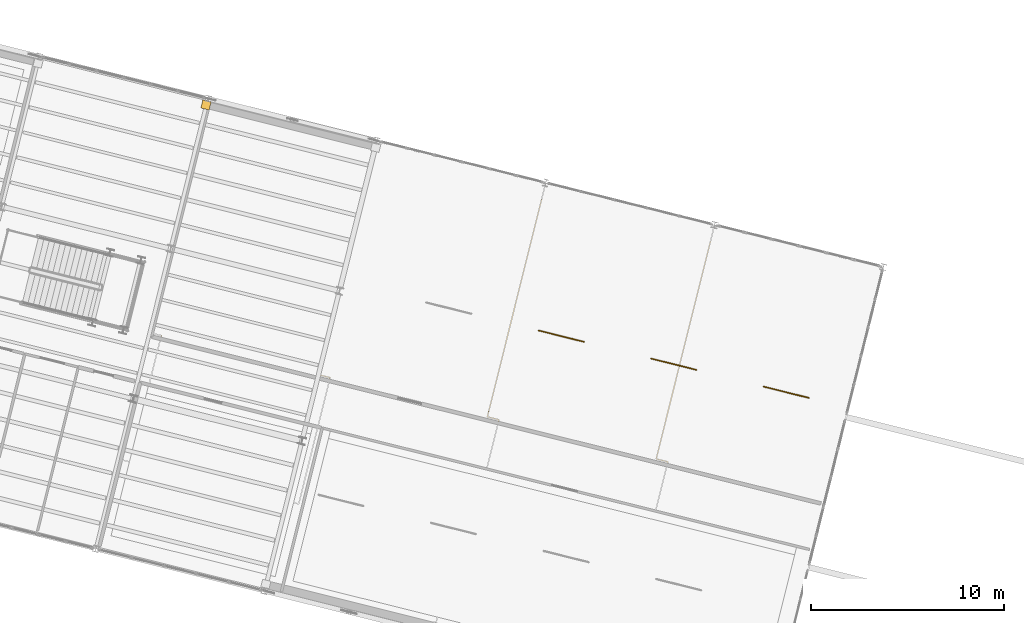
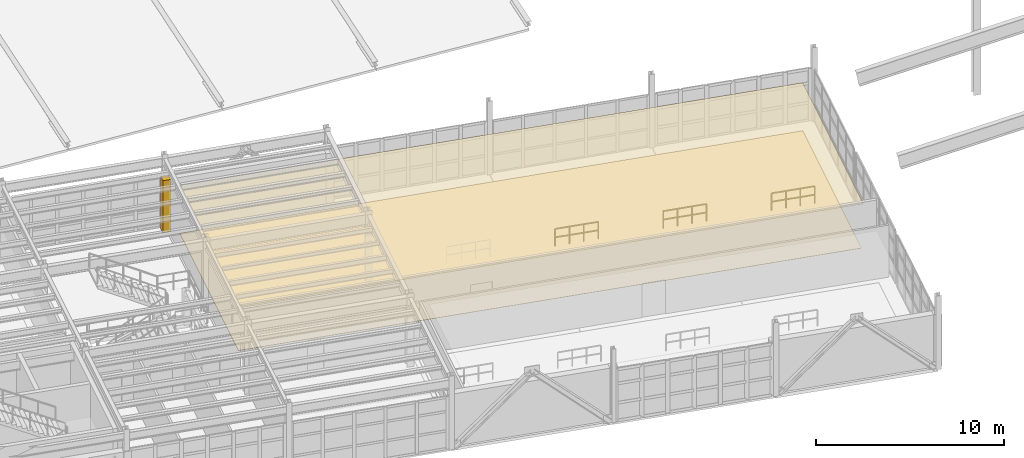
# One storey, part 57 of 59: 3 coverings, 3 railings.
"""IFC4 building model written with IfcOpenShell, lengths in metres."""

from ifc_helpers import new_model, si_unit, direction, frame, origin, origin_2d, place, context, subcontext, project, spatial, polyline, rectangle, circle, outline, extrude, material, layer, layer_set, type_object, element, save


model = new_model("IFC4")

# Units and contexts
model_context = context("Model", 3, precision=1e-05, world=origin(), true_north=direction((0.0, 1.0)))
body_context = subcontext(model_context, "Body", "Model", "MODEL_VIEW")
ifc_project = project(units=[si_unit("LENGTHUNIT", "METRE"), si_unit("AREAUNIT", "SQUARE_METRE"), si_unit("VOLUMEUNIT", "CUBIC_METRE"), si_unit("PLANEANGLEUNIT", "RADIAN"), si_unit("MASSUNIT", "GRAM", prefix="KILO")], contexts=[model_context])

# Site, building, storey
site_placement = place(None, origin())
site = spatial("IfcSite", under=ifc_project, at=site_placement, CompositionType="ELEMENT")
building_placement = place(site_placement, origin())
building = spatial("IfcBuilding", under=site, at=building_placement, Name="Vireo Bluff Cable Station", CompositionType="ELEMENT")
storey_placement = place(building_placement, frame((0.0, 0.0, 14.39990234375)))
storey = spatial("IfcBuildingStorey", under=building, at=storey_placement, Name="L03", CompositionType="ELEMENT", Elevation=14.39990234375)

# Railings
ifc_material_1 = material(Name="Laminated Low-E Insulated Glass", Category="glass")
railing_type = type_object("IfcRailingType", Name="BALUSTRADE-1150", PredefinedType="BALUSTRADE", material=ifc_material_1)
for number, where, name in (
    (1, (94.377685546875, 44.937744140625, 0.0), "Boarding Hall platform queuing balustrade 4"),
    (2, (100.199462890625, 43.486328125, 0.0), "Boarding Hall platform queuing balustrade 6"),
    (3, (106.021240234375, 42.03466796875, 0.0), "Boarding Hall platform queuing balustrade 8"),
):
    element("IfcRailing", number, at=place(storey_placement, frame(where)), inside=storey, type_object=railing_type, Name=name, PredefinedType="BALUSTRADE", context=body_context, shape_type="SweptSolid", body=[
        extrude(circle(Radius=0.02392578125, at=origin_2d()), frame((0.0, 0.0, 1.1259765625), z_axis=(0.970303839674, -0.241889352212, 0.0), x_axis=(0.241889352212, 0.970303839674, 0.0)), (0.0, 0.0, 1.0), 2.400146484375),
        extrude(circle(Radius=0.02392578125, at=origin_2d()), frame((0.0, 0.0, 0.574951171875), z_axis=(0.970303839674, -0.241889352212, 0.0), x_axis=(0.241889352212, 0.970303839674, 0.0)), (0.0, 0.0, 1.0), 2.400146484375),
        extrude(circle(Radius=0.02099609375, at=origin_2d()), origin(), (0.0, 0.0, 1.0), 1.101806640625),
        extrude(circle(Radius=0.02099609375, at=origin_2d()), frame((0.7763671875, -0.193603515625, 0.0)), (0.0, 0.0, 1.0), 1.101806640625),
        extrude(circle(Radius=0.02099609375, at=origin_2d()), frame((1.552490234375, -0.386962890625, 0.0)), (0.0, 0.0, 1.0), 1.101806640625),
        extrude(circle(Radius=0.02099609375, at=origin_2d()), frame((2.328857421875, -0.58056640625, 0.0)), (0.0, 0.0, 1.0), 1.101806640625),
    ])

# Coverings
ifc_material_2 = material(Name="Perforated Acoustic Metal Ceiling")
ifc_layer_1 = layer(ifc_material_2, 0.02490234375, Name="Perforated Acoustic Metal Ceiling")
ifc_layer_set_1 = layer_set([ifc_layer_1], Name="Perforated Acoustic Metal Ceiling")
covering_type_1 = type_object("IfcCoveringType", Name="CEILING-ACOUSTIC-25", PredefinedType="CEILING", material=ifc_layer_set_1)
covering_1_placement = place(storey_placement, frame((0.0, 0.0, 3.1201171875)))
element("IfcCovering", 4, at=covering_1_placement, inside=storey, type_object=covering_type_1, Name="V1 L03 Carrier Turnaround Guideway Hall acoustic ceiling", PredefinedType="CEILING", context=body_context, shape_type="SweptSolid", body=[
    extrude(outline(polyline([(74.81640625, 44.605224609375), (108.340087890625, 36.246826171875), (111.171630859375, 47.604248046875), (77.64794921875, 55.962646484375), (74.81640625, 44.605224609375)])), origin(), (0.0, 0.0, 1.0), 0.02490234375),
])
ifc_material_3 = material(Name="Precast concrete f'c 45 MPa", Category="concrete")
ifc_layer_2 = layer(ifc_material_3, 0.0400390625, Name="Precast concrete f'c 45 MPa")
ifc_layer_set_2 = layer_set([ifc_layer_2], Name="Precast concrete f'c 45 MPa")
covering_type_2 = type_object("IfcCoveringType", Name="COL-CLOSURE-WRAP", PredefinedType="CLADDING", material=ifc_layer_set_2)
covering_2_placement = place(storey_placement, frame((77.16455078125, 56.60888671875, 0.000244140625), z_axis=(0.0, 0.0, 1.0), x_axis=(0.970295726276, -0.2419218956, 0.0)))
element("IfcCovering", 5, at=covering_2_placement, inside=storey, type_object=covering_type_2, Name="V1 L03 column pocket closure", PredefinedType="CLADDING", context=body_context, shape_type="SweptSolid", body=[
    extrude(rectangle(XDim=0.43994140625, YDim=0.43994140625, at=origin_2d()), origin(), (0.0, 0.0, 1.0), 3.39990234375),
])
ifc_material_4 = material(Name="Polished Terrazzo Flooring")
ifc_layer_3 = layer(ifc_material_4, 0.02001953125, Name="Polished Terrazzo Flooring")
ifc_layer_set_3 = layer_set([ifc_layer_3], Name="Polished Terrazzo Flooring")
covering_type_3 = type_object("IfcCoveringType", Name="FLOORING-TERRAZZO-20", PredefinedType="FLOORING", material=ifc_layer_set_3)
covering_3_placement = place(storey_placement, origin())
element("IfcCovering", 6, at=covering_3_placement, inside=storey, type_object=covering_type_3, Name="V1 L03 Carrier Turnaround Guideway Hall terrazzo finish", PredefinedType="FLOORING", context=body_context, shape_type="SweptSolid", body=[
    extrude(outline(polyline([(74.902099609375, 44.94970703125), (108.42578125, 36.59130859375), (111.171630859375, 47.604248046875), (77.64794921875, 55.962646484375), (74.902099609375, 44.94970703125)])), origin(), (0.0, 0.0, 1.0), 0.02001953125),
])

save(model, "model.ifc")
